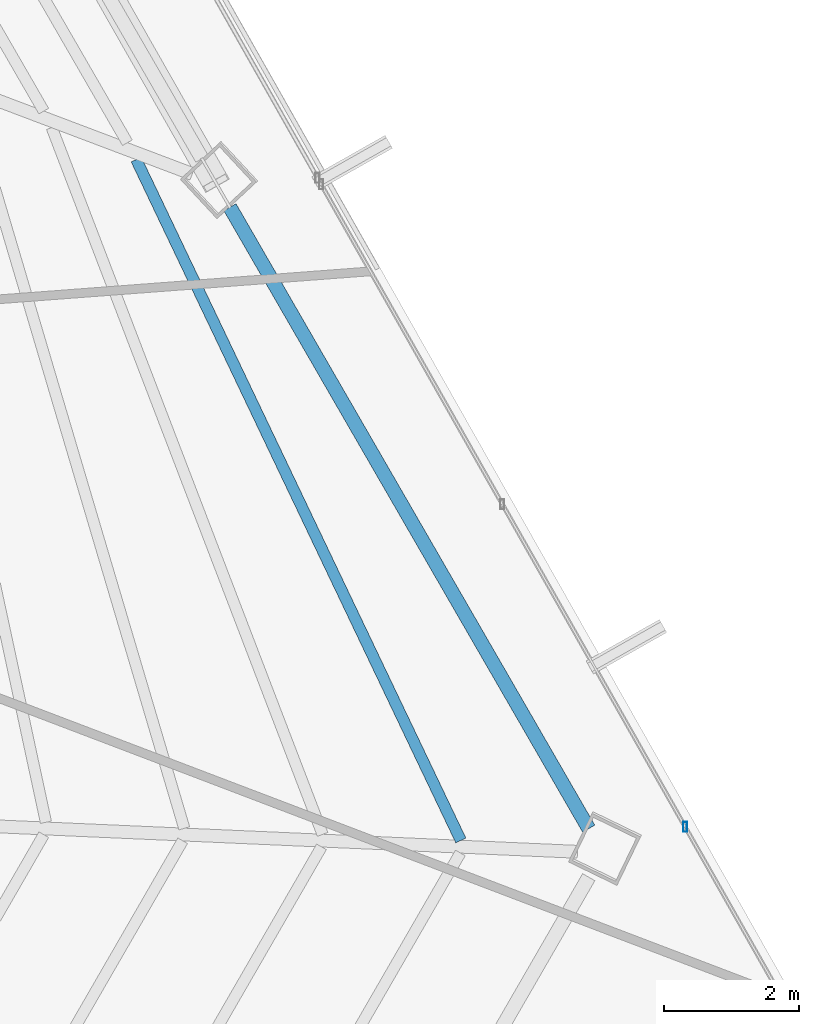
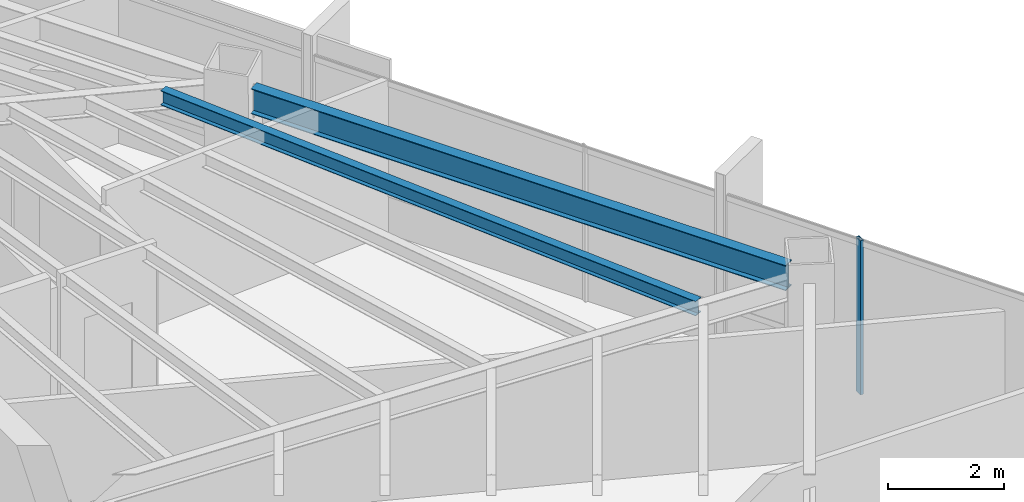
# One storey, part 22 of 40: 2 beams, 1 member, 1 element without a shape of its own.
"""IFC4 building model written with IfcOpenShell, lengths in metres."""

import ifcopenshell
import ifcopenshell.guid

model = None  # the IFC model being written
_history = None  # IfcOwnerHistory: only IFC2X3 demands one
_inside = {}  # id of a spatial element -> (the spatial element, [elements in it])
_under = {}  # id of a project, library or spatial element -> (it, [spatial elements below it])
_declared = {}  # id of a project -> (the project, [libraries it declares])
_typed = {}  # id of a type object -> (the type object, [elements of that type])
_made_of = {}  # id of a material, layer set ... -> (it, [elements and type objects made of it])


def new_model(schema):
    """Start an empty IFC model of exactly this schema.

    Asked for "IFC4X3", IfcOpenShell would pick the latest addendum, in which some entities
    have other attributes; the version numbers below select the first issue.
    IFC2X3 requires an IfcOwnerHistory on every rooted entity: one is made here for all.
    """
    global model, _history
    if schema == "IFC4X3":
        model = ifcopenshell.file(schema_version=(4, 3, 0, 0))
    else:
        model = ifcopenshell.file(schema=schema)
    _inside.clear()
    _under.clear()
    _declared.clear()
    _typed.clear()
    _made_of.clear()
    _history = None
    if model.schema == "IFC2X3":
        org = make("IfcOrganization", Name="unknown")
        user = make(
            "IfcPersonAndOrganization",
            ThePerson=make("IfcPerson", FamilyName="unknown"),
            TheOrganization=org,
        )
        app = make(
            "IfcApplication",
            ApplicationDeveloper=org,
            Version="unknown",
            ApplicationFullName="unknown",
            ApplicationIdentifier="unknown",
        )
        _history = make(
            "IfcOwnerHistory",
            OwningUser=user,
            OwningApplication=app,
            ChangeAction="ADDED",
            CreationDate=0,
        )
    return model


def make(cls, **values):
    """One entity of the class cls with the attributes given. An attribute that is None is left unset."""
    return model.create_entity(
        cls, **{name: value for name, value in values.items() if value is not None}
    )


def rooted(cls, **values):
    """An entity with a GlobalId (a new one), such as an element, a storey or a relation."""
    return make(cls, GlobalId=ifcopenshell.guid.new(), OwnerHistory=_history, **values)


def si_unit(unit_type, name, prefix=None):
    """IfcSIUnit, for example si_unit("LENGTHUNIT", "METRE", prefix="MILLI")."""
    return make("IfcSIUnit", UnitType=unit_type, Prefix=prefix, Name=name)


def assignment(units):
    """IfcUnitAssignment: the units of a project."""
    return None if units is None else make("IfcUnitAssignment", Units=units)


def point(xyz):
    """IfcCartesianPoint."""
    return None if xyz is None else make("IfcCartesianPoint", Coordinates=xyz)


def direction(xyz):
    """IfcDirection."""
    return None if xyz is None else make("IfcDirection", DirectionRatios=xyz)


def frame(location, z_axis=None, x_axis=None):
    """IfcAxis2Placement3D, a coordinate frame: its origin and axes. An axis left out is left unset."""
    return make(
        "IfcAxis2Placement3D",
        Location=point(location),
        Axis=direction(z_axis),
        RefDirection=direction(x_axis),
    )


def frame_2d(location, x_axis=None):
    """IfcAxis2Placement2D, a coordinate frame in the plane: its origin and x axis."""
    return make(
        "IfcAxis2Placement2D", Location=point(location), RefDirection=direction(x_axis)
    )


def origin():
    """The frame at (0, 0, 0) with its axes left unset."""
    return frame((0.0, 0.0, 0.0))


def origin_2d():
    """The frame at (0, 0) in the plane with its x axis left unset."""
    return frame_2d((0.0, 0.0))


def place(relative_to, where):
    """IfcLocalPlacement: puts the frame where relative to a parent placement (None: the world)."""
    return make(
        "IfcLocalPlacement", PlacementRelTo=relative_to, RelativePlacement=where
    )


def context(
    kind, dimensions, precision=None, world=None, true_north=None, identifier=None
):
    """IfcGeometricRepresentationContext, for example the 3D "Model" context."""
    return make(
        "IfcGeometricRepresentationContext",
        ContextIdentifier=identifier,
        ContextType=kind,
        CoordinateSpaceDimension=dimensions,
        Precision=precision,
        WorldCoordinateSystem=world,
        TrueNorth=true_north,
    )


def subcontext(parent, identifier, kind, view, scale=None):
    """IfcGeometricRepresentationSubContext, for example "Body" below "Model"."""
    return make(
        "IfcGeometricRepresentationSubContext",
        ContextIdentifier=identifier,
        ContextType=kind,
        ParentContext=parent,
        TargetScale=scale,
        TargetView=view,
    )


def project(units=None, contexts=None):
    """IfcProject with its units and contexts."""
    return rooted(
        "IfcProject",
        Name="project",
        RepresentationContexts=contexts,
        UnitsInContext=assignment(units),
    )


def spatial(cls, under=None, at=None, **own):
    """A site, building, storey or space (cls), placed at a placement, below another one or the project."""
    s = rooted(cls, ObjectPlacement=at, **own)
    if under is not None:
        _under.setdefault(under.id(), (under, []))[1].append(s)
    return s


def profile(cls, at=None, kind="AREA", **sizes):
    """A parametric profile (cls). Its sizes go by their IFC names, for example OverallWidth=200.0."""
    return make(cls, ProfileType=kind, Position=at, **sizes)


def hollow_rectangle(**sizes):
    """IfcRectangleHollowProfileDef."""
    return profile("IfcRectangleHollowProfileDef", **sizes)


def i_section(**sizes):
    """IfcIShapeProfileDef."""
    return profile("IfcIShapeProfileDef", **sizes)


def extrude(swept, where, along, depth):
    """IfcExtrudedAreaSolid: the profile swept, set in the frame where, extruded along a direction by depth."""
    return make(
        "IfcExtrudedAreaSolid",
        SweptArea=swept,
        Position=where,
        ExtrudedDirection=direction(along),
        Depth=depth,
    )


def shape(context_of_items, identifier, shape_type, items):
    """IfcShapeRepresentation: the items that make up one representation, for example the "Body"."""
    return make(
        "IfcShapeRepresentation",
        ContextOfItems=context_of_items,
        RepresentationIdentifier=identifier,
        RepresentationType=shape_type,
        Items=items,
    )


def source(mapping_origin, context_of_items, identifier, shape_type, items):
    """IfcRepresentationMap: a shape defined once, which mapped items show again and again."""
    return make(
        "IfcRepresentationMap",
        MappingOrigin=mapping_origin,
        MappedRepresentation=shape(context_of_items, identifier, shape_type, items),
    )


def transform(
    local_origin,
    x_axis=None,
    y_axis=None,
    z_axis=None,
    scale=None,
    scale2=None,
    scale3=None,
    uniform=True,
):
    """IfcCartesianTransformationOperator3D, or its non-uniform kind. x_axis, y_axis, z_axis: its Axis1, 2, 3."""
    if uniform:
        return make(
            "IfcCartesianTransformationOperator3D",
            Axis1=direction(x_axis),
            Axis2=direction(y_axis),
            LocalOrigin=point(local_origin),
            Scale=scale,
            Axis3=direction(z_axis),
        )
    return make(
        "IfcCartesianTransformationOperator3DnonUniform",
        Axis1=direction(x_axis),
        Axis2=direction(y_axis),
        LocalOrigin=point(local_origin),
        Scale=scale,
        Axis3=direction(z_axis),
        Scale2=scale2,
        Scale3=scale3,
    )


def mapped(mapping_source, mapping_target):
    """IfcMappedItem: shows the shape of a source again, moved by a transform."""
    return make(
        "IfcMappedItem", MappingSource=mapping_source, MappingTarget=mapping_target
    )


def material(Name=None, Category=None):
    """IfcMaterial."""
    return make("IfcMaterial", Name=Name, Category=Category)


def material_profile(
    of_material, cross_section, Name=None, Category=None, Priority=None
):
    """IfcMaterialProfile: a cross section and its material."""
    return make(
        "IfcMaterialProfile",
        Name=Name,
        Material=of_material,
        Profile=cross_section,
        Priority=Priority,
        Category=Category,
    )


def profile_set(profiles, Name=None, composite=None):
    """IfcMaterialProfileSet."""
    return make(
        "IfcMaterialProfileSet",
        Name=Name,
        MaterialProfiles=profiles,
        CompositeProfile=composite,
    )


def made_of(thing, what):
    """Note that an element or type object is made of a material, layer set ...; save() writes the relation."""
    if what is not None:
        _made_of.setdefault(what.id(), (what, []))[1].append(thing)
    return thing


def type_object(cls, material=None, **own):
    """A type object (cls), such as IfcWallType, which elements share."""
    return made_of(rooted(cls, **own), material)


def type_shapes(of_type, sources):
    """Give a type object the sources (RepresentationMaps) that its elements show as mapped items."""
    of_type.RepresentationMaps = sources


def element(
    cls,
    number,
    at=None,
    inside=None,
    cuts=None,
    type_object=None,
    material=None,
    context=None,
    identifier="Body",
    shape_type=None,
    held_by="IfcProductDefinitionShape",
    body=None,
    shapes=None,
    **own,
):
    """One element of the class cls, such as IfcWall. Its Tag is "e" and its number.

    at: its placement. inside: the storey or other place that contains it. cuts: it is an
    opening in that element (IfcRelVoidsElement). A single representation is given by context,
    identifier, shape_type and body (its items); several are given by shapes. held_by: the class
    of the entity that holds the representations. save() writes the other relations.
    """
    e = rooted(cls, Tag="e%d" % number, ObjectPlacement=at, **own)
    if body is not None:
        shapes = [shape(context, identifier, shape_type, body)]
    if shapes is not None:
        e.Representation = make(held_by, Representations=shapes)
    if inside is not None:
        _inside.setdefault(inside.id(), (inside, []))[1].append(e)
    if cuts is not None:
        rooted(
            "IfcRelVoidsElement", RelatingBuildingElement=cuts, RelatedOpeningElement=e
        )
    if type_object is not None:
        _typed.setdefault(type_object.id(), (type_object, []))[1].append(e)
    return made_of(e, material)


def aggregate(whole, parts):
    """IfcRelAggregates: a whole, such as a stair, and the parts it consists of."""
    return rooted("IfcRelAggregates", RelatingObject=whole, RelatedObjects=parts)


def save(model, path):
    """Write the relations noted so far, then the file.

    IfcRelAggregates (storeys below a building ...), IfcRelContainedInSpatialStructure (elements
    in a storey), IfcRelDefinesByType, IfcRelAssociatesMaterial and IfcRelDeclares: one each for
    every whole, place, type object, material and project.
    """
    for whole, parts in _under.values():
        aggregate(whole, parts)
    for where, things in _inside.values():
        rooted(
            "IfcRelContainedInSpatialStructure",
            RelatedElements=things,
            RelatingStructure=where,
        )
    for kind, things in _typed.values():
        rooted("IfcRelDefinesByType", RelatedObjects=things, RelatingType=kind)
    for what, things in _made_of.values():
        rooted("IfcRelAssociatesMaterial", RelatedObjects=things, RelatingMaterial=what)
    for by, libraries in _declared.values():
        rooted("IfcRelDeclares", RelatingContext=by, RelatedDefinitions=libraries)
    model.write(path)


model = new_model("IFC4")

# Units and contexts
model_context = context("Model", 3, precision=1e-05, world=origin(), true_north=direction((0.0, 1.0)))
body_context = subcontext(model_context, "Body", "Model", "MODEL_VIEW")
ifc_project = project(units=[si_unit("LENGTHUNIT", "METRE"), si_unit("AREAUNIT", "SQUARE_METRE"), si_unit("VOLUMEUNIT", "CUBIC_METRE"), si_unit("PLANEANGLEUNIT", "RADIAN"), si_unit("MASSUNIT", "GRAM", prefix="KILO")], contexts=[model_context])

# Site, building, storey
site_placement = place(None, origin())
site = spatial("IfcSite", under=ifc_project, at=site_placement, CompositionType="ELEMENT")
building_placement = place(site_placement, origin())
building = spatial("IfcBuilding", under=site, at=building_placement, Name="Caelisora Broadcast Tower", CompositionType="ELEMENT")
storey_placement = place(building_placement, frame((0.0, 0.0, 216.89990234375)))
storey = spatial("IfcBuildingStorey", under=building, at=storey_placement, Name="L57", CompositionType="ELEMENT", Elevation=216.89990234375)

# Beams
ifc_material_1 = material(Name="Steel Grade 350 (AS/NZS 3679.1)", Category="steel")
ifc_material_profile_1 = material_profile(ifc_material_1, i_section(OverallWidth=0.208984375, OverallDepth=0.532958984375, WebThickness=0.01025390625, FlangeThickness=0.015625, at=origin_2d()), Name="Steel Grade 350 (AS/NZS 3679.1)")
ifc_profile_set_1 = profile_set([ifc_material_profile_1], Name="Steel Grade 350 (AS/NZS 3679.1)")
beam_type_1 = type_object("IfcBeamType", Name="PG05", PredefinedType="BEAM", material=ifc_profile_set_1)
shared_shape_1 = source(origin(), body_context, "Body", "SweptSolid", [
    extrude(i_section(OverallWidth=0.208984375, OverallDepth=0.532958984375, WebThickness=0.01025390625, FlangeThickness=0.015625, at=origin_2d()), origin(), (0.0, 0.0, 1.0), 10.655029296875),
])
type_shapes(beam_type_1, [shared_shape_1])
beam_1_placement = place(storey_placement, frame((59.725341796875, 17.126953125, 2.983642578125), z_axis=(-0.500008063514, 0.866020748262, 0.0), x_axis=(-0.866020748262, -0.500008063514, 0.0)))
element("IfcBeam", 1, at=beam_1_placement, inside=storey, type_object=beam_type_1, Name="L57 beam PG05", PredefinedType="BEAM", context=body_context, shape_type="MappedRepresentation", body=[
    mapped(shared_shape_1, transform((0.0, 0.0, 0.0), scale=1.0)),
])
ifc_material_profile_2 = material_profile(ifc_material_1, i_section(OverallWidth=0.166015625, OverallDepth=0.30712890625, WebThickness=0.006591796875, FlangeThickness=0.01171875, at=origin_2d()), Name="Steel Grade 350 (AS/NZS 3679.1)")
ifc_profile_set_2 = profile_set([ifc_material_profile_2], Name="Steel Grade 350 (AS/NZS 3679.1)")
beam_type_2 = type_object("IfcBeamType", Name="SB03", PredefinedType="JOIST", material=ifc_profile_set_2)
shared_shape_2 = source(origin(), body_context, "Body", "SweptSolid", [
    extrude(i_section(OverallWidth=0.166015625, OverallDepth=0.30712890625, WebThickness=0.006591796875, FlangeThickness=0.01171875, at=origin_2d()), origin(), (0.0, 0.0, 1.0), 11.200439453125),
])
type_shapes(beam_type_2, [shared_shape_2])
beam_2_placement = place(storey_placement, frame((57.826171875, 16.951904296875, 3.096435546875), z_axis=(-0.430324442978, 0.902674289971, 0.0), x_axis=(-0.902674289971, -0.430324442978, 0.0)))
element("IfcBeam", 2, at=beam_2_placement, inside=storey, type_object=beam_type_2, Name="L57 beam SB03", PredefinedType="JOIST", context=body_context, shape_type="MappedRepresentation", body=[
    mapped(shared_shape_2, transform((0.0, 0.0, 0.0), scale=1.0)),
])

# Curtain wall, member
ifc_material_2 = material(Name="Unitised Aluminium and Low-E Glass Curtain Wall", Category="glass")
curtain_wall_type = type_object("IfcCurtainWallType", Name="CW-Z4", PredefinedType="NOTDEFINED", material=ifc_material_2)
curtain_wall_placement = place(storey_placement, origin())
curtain_wall = element("IfcCurtainWall", 3, at=curtain_wall_placement, inside=storey, type_object=curtain_wall_type, Name="L57 curtain wall CW-Z4", PredefinedType="NOTDEFINED")
ifc_material_3 = material(Name="Aluminium 6063-T6 Anodised Terracotta Bronze", Category="aluminium")
ifc_material_profile_3 = material_profile(ifc_material_3, hollow_rectangle(XDim=0.06005859375, YDim=0.14990234375, WallThickness=0.00341796875, at=origin_2d()), Name="Aluminium 6063-T6 Anodised Terracotta Bronze")
ifc_profile_set_3 = profile_set([ifc_material_profile_3], Name="Aluminium 6063-T6 Anodised Terracotta Bronze")
member_type = type_object("IfcMemberType", Name="CWM-03", PredefinedType="MULLION", material=ifc_profile_set_3)
shared_shape_3 = source(origin(), body_context, "Body", "SweptSolid", [
    extrude(hollow_rectangle(XDim=0.06005859375, YDim=0.14990234375, WallThickness=0.00341796875, at=origin_2d()), origin(), (0.0, 0.0, 1.0), 3.25),
])
type_shapes(member_type, [shared_shape_3])
member_placement = place(storey_placement, frame((61.156494140625, 17.15380859375, 0.0), z_axis=(0.0, 0.0, 1.0), x_axis=(1.0, 0.0, 0.0)))
member = element("IfcMember", 4, at=member_placement, type_object=member_type, Name="L57-CW-B03 mullion #2", PredefinedType="MULLION", context=body_context, shape_type="MappedRepresentation", body=[
    mapped(shared_shape_3, transform((0.0, 0.0, 0.0), scale=1.0)),
])
aggregate(curtain_wall, [member])

save(model, "model.ifc")
